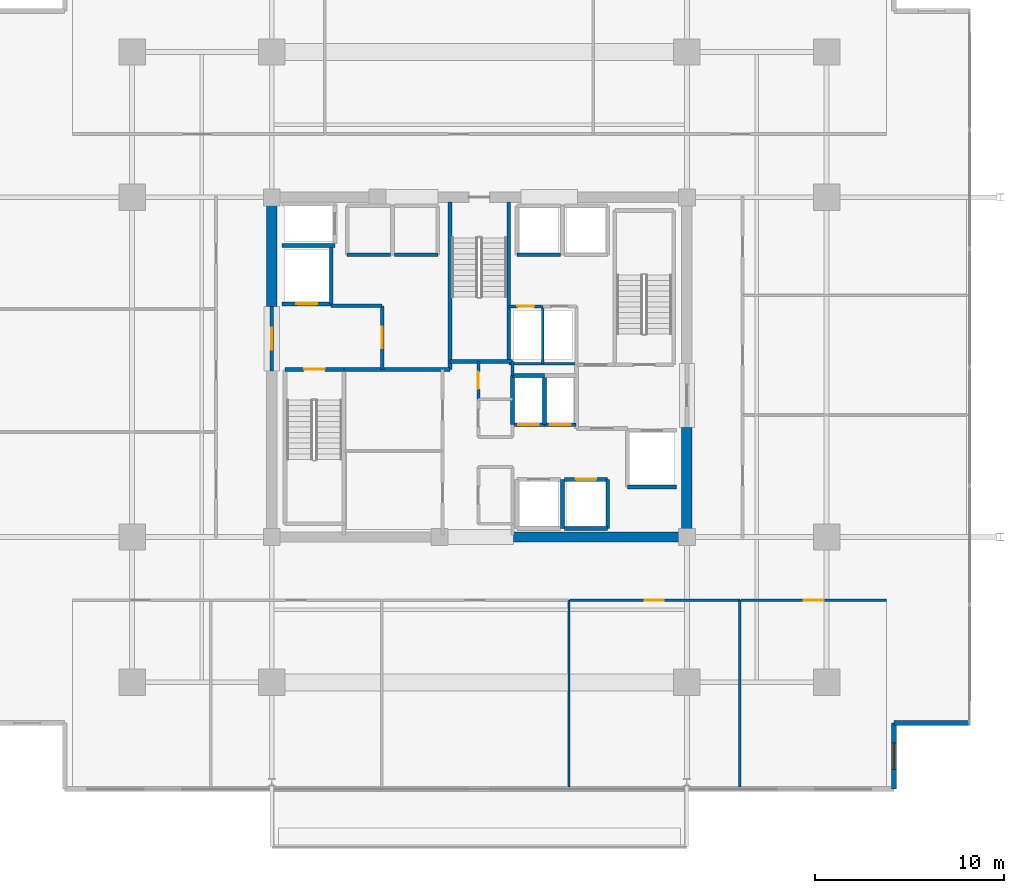
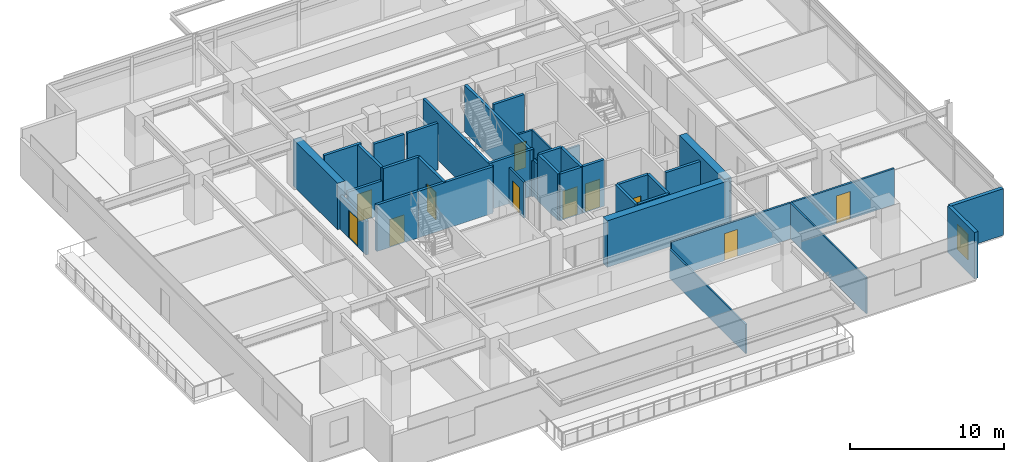
# One storey, part 15 of 22: 38 walls, 11 doors, 1 window, 12 openings.
"""IFC4 building model written with IfcOpenShell, lengths in metres."""

from ifc_helpers import new_model, si_unit, direction, frame, frame_2d, origin, place, context, subcontext, project, spatial, rectangle, extrude, material, layer, layer_set, type_object, element, fill, save


model = new_model("IFC4")

# Units and contexts
model_context = context("Model", 3, precision=1e-05, world=origin(), true_north=direction((0.0, 1.0)))
body_context = subcontext(model_context, "Body", "Model", "MODEL_VIEW")
ifc_project = project(units=[si_unit("LENGTHUNIT", "METRE"), si_unit("AREAUNIT", "SQUARE_METRE"), si_unit("VOLUMEUNIT", "CUBIC_METRE"), si_unit("PLANEANGLEUNIT", "RADIAN"), si_unit("MASSUNIT", "GRAM", prefix="KILO")], contexts=[model_context])

# Site, building, storey
site_placement = place(None, origin())
site = spatial("IfcSite", under=ifc_project, at=site_placement, CompositionType="ELEMENT")
building_placement = place(site_placement, origin())
building = spatial("IfcBuilding", under=site, at=building_placement, Name="Kovane Verandah Tower", CompositionType="ELEMENT")
storey_placement = place(building_placement, frame((0.0, 0.0, 229.199951171875)))
storey = spatial("IfcBuildingStorey", under=building, at=storey_placement, Name="L53", CompositionType="ELEMENT", Elevation=229.199951171875)

# Wall
ifc_material_1 = material(Name="Fire-Rated Gypsum Stud Partition", Category="gypsum")
ifc_layer_1 = layer(ifc_material_1, 0.14990234375)
ifc_layer_set_1 = layer_set([ifc_layer_1], Name="Fire-Rated Gypsum Stud Partition")
wall_type_1 = type_object("IfcWallType", Name="WL-COR-150", PredefinedType="PARTITIONING", material=ifc_layer_set_1)
wall_1_placement = place(storey_placement, frame((41.760009765625, 27.050048828125, 0.0), z_axis=(0.0, 0.0, 1.0), x_axis=(0.0, 1.0, 0.0)))
element("IfcWall", 1, at=wall_1_placement, inside=storey, type_object=wall_type_1, Name="L53 Central Core Strip Upper East Wall", PredefinedType="PARTITIONING", context=body_context, shape_type="SweptSolid", body=[
    extrude(rectangle(XDim=0.75, YDim=0.14990234375, at=frame_2d((0.375, 0.0))), origin(), (0.0, 0.0, 1.0), 2.85009765625),
])

# Wall, opening, door
wall_2_placement = place(storey_placement, frame((39.949951171875, 25.800048828125, 0.0), z_axis=(0.0, 0.0, 1.0), x_axis=(0.0, 1.0, 0.0)))
wall_2 = element("IfcWall", 2, at=wall_2_placement, inside=storey, type_object=wall_type_1, Name="L53 Accessible Unisex Toilet Partition", PredefinedType="PARTITIONING", context=body_context, shape_type="SweptSolid", body=[
    extrude(rectangle(XDim=2.0, YDim=0.14990234375, at=frame_2d((1.0, 0.0))), origin(), (0.0, 0.0, 1.0), 2.85009765625),
])
opening_1_placement = place(wall_2_placement, frame((0.550048828125, 0.0, 0.0)))
opening_1 = element("IfcOpeningElement", 3, at=opening_1_placement, cuts=wall_2, Name="Opening DR-L53-026", PredefinedType="OPENING", context=body_context, shape_type="SweptSolid", body=[
    extrude(rectangle(XDim=0.89990234375, YDim=2.10009765625, at=frame_2d((0.449951171875, 1.050048828125))), frame((0.0, 0.074951171875, 0.0), z_axis=(0.0, -1.0, 0.0), x_axis=(1.0, 0.0, 0.0)), (0.0, 0.0, 1.0), 0.14990234375),
])
ifc_material_2 = material(Name="Moisture-Resistant Laminate Washroom Door", Category="wood")
door_type_1 = type_object("IfcDoorType", Name="DR-WC-900", OperationType="SINGLE_SWING_LEFT", PredefinedType="DOOR", material=ifc_material_2)
door_1_placement = place(opening_1_placement, origin())
door_1 = element("IfcDoor", 4, at=door_1_placement, inside=storey, type_object=door_type_1, Name="L53 Accessible Unisex Toilet Door", OperationType="SINGLE_SWING_RIGHT", OverallHeight=2.10009765625, OverallWidth=0.89990234375, PredefinedType="DOOR", context=body_context, shape_type="SweptSolid", body=[
    extrude(rectangle(XDim=0.89990234375, YDim=2.10009765625, at=frame_2d((0.449951171875, 1.050048828125))), frame((0.0, 0.02490234375, 0.0), z_axis=(0.0, -1.0, 0.0), x_axis=(1.0, 0.0, 0.0)), (0.0, 0.0, 1.0), 0.050048828125),
])
fill(opening_1, door_1)

# Wall
wall_3_placement = place(storey_placement, frame((41.56005859375, 27.679931640625, 0.0), z_axis=(0.0, 0.0, 1.0), x_axis=(1.0, 0.0, 0.0)))
element("IfcWall", 5, at=wall_3_placement, inside=storey, type_object=wall_type_1, Name="L53 East Core Service Riser South Wall", PredefinedType="PARTITIONING", context=body_context, shape_type="SweptSolid", body=[
    extrude(rectangle(XDim=3.58984375, YDim=0.14990234375, at=frame_2d((1.794921875, 0.0))), origin(), (0.0, 0.0, 1.0), 2.85009765625),
])

# Wall, opening, door
wall_4_placement = place(storey_placement, frame((41.56005859375, 30.719970703125, 0.0), z_axis=(0.0, 0.0, 1.0), x_axis=(1.0, 0.0, 0.0)))
wall_4 = element("IfcWall", 6, at=wall_4_placement, inside=storey, type_object=wall_type_1, Name="L53 Chilled Water Riser Room Partition", PredefinedType="PARTITIONING", context=body_context, shape_type="SweptSolid", body=[
    extrude(rectangle(XDim=1.800048828125, YDim=0.14990234375, at=frame_2d((0.89990234375, 0.0))), origin(), (0.0, 0.0, 1.0), 2.85009765625),
])
opening_2_placement = place(wall_4_placement, frame((0.4599609375, 0.0, 0.0)))
opening_2 = element("IfcOpeningElement", 7, at=opening_2_placement, cuts=wall_4, Name="Opening DR-L53-016", PredefinedType="OPENING", context=body_context, shape_type="SweptSolid", body=[
    extrude(rectangle(XDim=0.8798828125, YDim=2.10009765625, at=frame_2d((0.43994140625, 1.050048828125))), frame((0.0, 0.074951171875, 0.0), z_axis=(0.0, -1.0, 0.0), x_axis=(1.0, 0.0, 0.0)), (0.0, 0.0, 1.0), 0.14990234375),
])
ifc_material_3 = material(Name="Fire-Rated Steel Riser Access Door", Category="steel")
door_type_2 = type_object("IfcDoorType", Name="DR-RISER-880", OperationType="SINGLE_SWING_LEFT", PredefinedType="DOOR", material=ifc_material_3)
door_2_placement = place(opening_2_placement, origin())
door_2 = element("IfcDoor", 8, at=door_2_placement, inside=storey, type_object=door_type_2, Name="L53 Chilled Water Riser Room Door", OperationType="SINGLE_SWING_LEFT", OverallHeight=2.10009765625, OverallWidth=0.8798828125, PredefinedType="DOOR", context=body_context, shape_type="SweptSolid", body=[
    extrude(rectangle(XDim=0.8798828125, YDim=2.10009765625, at=frame_2d((0.43994140625, 1.050048828125))), frame((0.0, 0.02490234375, 0.0), z_axis=(0.0, -1.0, 0.0), x_axis=(1.0, 0.0, 0.0)), (0.0, 0.0, 1.0), 0.050048828125),
])
fill(opening_2, door_2)

wall_5_placement = place(storey_placement, frame((44.815185546875, 15.14990234375, 0.0), z_axis=(0.0, 0.0, 1.0), x_axis=(1.0, 0.0, 0.0)))
wall_5 = element("IfcWall", 9, at=wall_5_placement, inside=storey, type_object=wall_type_1, Name="L53 Open Plan Office S4 Corridor Partition", PredefinedType="PARTITIONING", context=body_context, shape_type="SweptSolid", body=[
    extrude(rectangle(XDim=8.9892578125, YDim=0.14990234375, at=frame_2d((4.49462890625, 0.0))), origin(), (0.0, 0.0, 1.0), 2.85009765625),
])
opening_3_placement = place(wall_5_placement, frame((3.959716796875, 0.0, 0.0)))
opening_3 = element("IfcOpeningElement", 10, at=opening_3_placement, cuts=wall_5, Name="Opening DR-L53-024", PredefinedType="OPENING", context=body_context, shape_type="SweptSolid", body=[
    extrude(rectangle(XDim=1.0, YDim=2.14990234375, at=frame_2d((0.5, 1.074951171875))), frame((0.0, 0.074951171875, 0.0), z_axis=(0.0, -1.0, 0.0), x_axis=(1.0, 0.0, 0.0)), (0.0, 0.0, 1.0), 0.14990234375),
])
ifc_material_4 = material(Name="FSC Spotted-Gum Timber Fire-Rated Office Door", Category="wood")
door_type_3 = type_object("IfcDoorType", Name="DR-OFF-1000", OperationType="SINGLE_SWING_LEFT", PredefinedType="DOOR", material=ifc_material_4)
door_3_placement = place(opening_3_placement, origin())
door_3 = element("IfcDoor", 11, at=door_3_placement, inside=storey, type_object=door_type_3, Name="L53 Open Plan Office S4 Entrance Door", OperationType="SINGLE_SWING_LEFT", OverallHeight=2.14990234375, OverallWidth=1.0, PredefinedType="DOOR", context=body_context, shape_type="SweptSolid", body=[
    extrude(rectangle(XDim=1.0, YDim=2.14990234375, at=frame_2d((0.5, 1.074951171875))), frame((0.0, 0.02490234375, 0.0), z_axis=(0.0, -1.0, 0.0), x_axis=(1.0, 0.0, 0.0)), (0.0, 0.0, 1.0), 0.050048828125),
])
fill(opening_3, door_3)

wall_6_placement = place(storey_placement, frame((53.87451171875, 15.14990234375, 0.0), z_axis=(0.0, 0.0, 1.0), x_axis=(1.0, 0.0, 0.0)))
wall_6 = element("IfcWall", 12, at=wall_6_placement, inside=storey, type_object=wall_type_1, Name="L53 Executive Office S5 Corridor Partition", PredefinedType="PARTITIONING", context=body_context, shape_type="SweptSolid", body=[
    extrude(rectangle(XDim=7.69482421875, YDim=0.14990234375, at=frame_2d((3.847412109375, 0.0))), origin(), (0.0, 0.0, 1.0), 2.85009765625),
])
opening_4_placement = place(wall_6_placement, frame((3.322509765625, 0.0, 0.0)))
opening_4 = element("IfcOpeningElement", 13, at=opening_4_placement, cuts=wall_6, Name="Opening DR-L53-025", PredefinedType="OPENING", context=body_context, shape_type="SweptSolid", body=[
    extrude(rectangle(XDim=1.050048828125, YDim=2.199951171875, at=frame_2d((0.52490234375, 1.10009765625))), frame((0.0, 0.074951171875, 0.0), z_axis=(0.0, -1.0, 0.0), x_axis=(1.0, 0.0, 0.0)), (0.0, 0.0, 1.0), 0.14990234375),
])
ifc_material_5 = material(Name="FSC Blackbutt Timber Fire-Rated Executive Door", Category="wood")
door_type_4 = type_object("IfcDoorType", Name="DR-EXEC-1050", OperationType="SINGLE_SWING_LEFT", PredefinedType="DOOR", material=ifc_material_5)
door_4_placement = place(opening_4_placement, origin())
door_4 = element("IfcDoor", 14, at=door_4_placement, inside=storey, type_object=door_type_4, Name="L53 Executive Office S5 Entrance Door", OperationType="SINGLE_SWING_RIGHT", OverallHeight=2.199951171875, OverallWidth=1.050048828125, PredefinedType="DOOR", context=body_context, shape_type="SweptSolid", body=[
    extrude(rectangle(XDim=1.050048828125, YDim=2.199951171875, at=frame_2d((0.52490234375, 1.10009765625))), frame((0.0, 0.02490234375, 0.0), z_axis=(0.0, -1.0, 0.0), x_axis=(1.0, 0.0, 0.0)), (0.0, 0.0, 1.0), 0.050048828125),
])
fill(opening_4, door_4)

# Walls
ifc_material_6 = material(Name="Concrete C60/75", Category="concrete")
ifc_layer_2 = layer(ifc_material_6, 0.550048828125)
ifc_layer_set_2 = layer_set([ifc_layer_2], Name="Concrete C60/75")
wall_type_2 = type_object("IfcWallType", Name="WL-CORE-550", PredefinedType="SHEAR", material=ifc_layer_set_2)
wall_7_placement = place(storey_placement, frame((41.800048828125, 18.5, 0.0), z_axis=(0.0, 0.0, 1.0), x_axis=(1.0, 0.0, 0.0)))
element("IfcWall", 15, at=wall_7_placement, inside=storey, type_object=wall_type_2, Name="L53 Core Shear Wall CS-2", PredefinedType="SHEAR", context=body_context, shape_type="SweptSolid", body=[
    extrude(rectangle(XDim=9.199951171875, YDim=0.550048828125, at=frame_2d((4.60009765625, 0.0))), origin(), (0.0, 0.0, 1.0), 3.699951171875),
])
for number, where, z_axis, x_axis, name in (
    (16, (29.0, 30.699951171875, 0.0), (0.0, 0.0, 1.0), (0.0, 1.0, 0.0), "L53 Core Shear Wall CW-2"),
    (17, (51.0, 18.5, 0.0), (0.0, 0.0, 1.0), (0.0, 1.0, 0.0), "L53 Core Shear Wall CE-1"),
):
    element("IfcWall", number, at=place(storey_placement, frame(where, z_axis=z_axis, x_axis=x_axis)), inside=storey, type_object=wall_type_2, Name=name, PredefinedType="SHEAR", context=body_context, shape_type="SweptSolid", body=[
        extrude(rectangle(XDim=5.800048828125, YDim=0.550048828125, at=frame_2d((2.89990234375, 0.0))), origin(), (0.0, 0.0, 1.0), 3.699951171875),
    ])

# Wall, opening, door
ifc_material_7 = material(Name="Concrete C45/55 Fire Wall", Category="concrete")
ifc_layer_3 = layer(ifc_material_7, 0.199951171875)
ifc_layer_set_3 = layer_set([ifc_layer_3], Name="Concrete C45/55 Fire Wall")
wall_type_3 = type_object("IfcWallType", Name="WL-FFL-200", PredefinedType="PARTITIONING", material=ifc_layer_set_3)
wall_8_placement = place(storey_placement, frame((34.85009765625, 27.3798828125, 0.0), z_axis=(0.0, 0.0, 1.0), x_axis=(0.0, 1.0, 0.0)))
wall_8 = element("IfcWall", 18, at=wall_8_placement, inside=storey, type_object=wall_type_3, Name="W-L53-FFLW-E", PredefinedType="PARTITIONING", context=body_context, shape_type="SweptSolid", body=[
    extrude(rectangle(XDim=3.3701171875, YDim=0.199951171875, at=frame_2d((1.68505859375, 0.0))), origin(), (0.0, 0.0, 1.0), 3.699951171875),
])
opening_5_placement = place(wall_8_placement, frame((1.110107421875, 0.0, 0.0)))
opening_5 = element("IfcOpeningElement", 19, at=opening_5_placement, cuts=wall_8, Name="Opening DR-L53-006", PredefinedType="OPENING", context=body_context, shape_type="SweptSolid", body=[
    extrude(rectangle(XDim=1.14990234375, YDim=2.199951171875, at=frame_2d((0.574951171875, 1.10009765625))), frame((0.0, 0.10009765625, 0.0), z_axis=(0.0, -1.0, 0.0), x_axis=(1.0, 0.0, 0.0)), (0.0, 0.0, 1.0), 0.199951171875),
])
ifc_material_8 = material(Name="Smoke-Sealed Firefighting Lobby Door", Category="steel")
door_type_5 = type_object("IfcDoorType", Name="DR-FFL-1150", OperationType="SINGLE_SWING_LEFT", PredefinedType="DOOR", material=ifc_material_8)
door_5_placement = place(opening_5_placement, origin())
door_5 = element("IfcDoor", 20, at=door_5_placement, inside=storey, type_object=door_type_5, Name="L53 West Firefighting Lobby Inner Door", OperationType="SINGLE_SWING_LEFT", OverallHeight=2.199951171875, OverallWidth=1.14990234375, PredefinedType="DOOR", context=body_context, shape_type="SweptSolid", body=[
    extrude(rectangle(XDim=1.14990234375, YDim=2.199951171875, at=frame_2d((0.574951171875, 1.10009765625))), frame((0.0, 0.02490234375, 0.0), z_axis=(0.0, -1.0, 0.0), x_axis=(1.0, 0.0, 0.0)), (0.0, 0.0, 1.0), 0.050048828125),
])
fill(opening_5, door_5)

wall_9_placement = place(storey_placement, frame((29.0, 27.300048828125, 0.0), z_axis=(0.0, 0.0, 1.0), x_axis=(0.0, 1.0, 0.0)))
wall_9 = element("IfcWall", 21, at=wall_9_placement, inside=storey, type_object=wall_type_3, Name="W-L53-FFLW-OUT", PredefinedType="PARTITIONING", context=body_context, shape_type="SweptSolid", body=[
    extrude(rectangle(XDim=3.39990234375, YDim=0.199951171875, at=frame_2d((1.699951171875, 0.0))), origin(), (0.0, 0.0, 1.0), 2.679931640625),
])
opening_6_placement = place(wall_9_placement, frame((1.125, 0.0, 0.0)))
opening_6 = element("IfcOpeningElement", 22, at=opening_6_placement, cuts=wall_9, Name="Opening DR-L53-007", PredefinedType="OPENING", context=body_context, shape_type="SweptSolid", body=[
    extrude(rectangle(XDim=1.14990234375, YDim=2.199951171875, at=frame_2d((0.574951171875, 1.10009765625))), frame((0.0, 0.10009765625, 0.0), z_axis=(0.0, -1.0, 0.0), x_axis=(1.0, 0.0, 0.0)), (0.0, 0.0, 1.0), 0.199951171875),
])
door_6_placement = place(opening_6_placement, origin())
door_6 = element("IfcDoor", 23, at=door_6_placement, inside=storey, type_object=door_type_5, Name="L53 West Firefighting Lobby Corridor Door", OperationType="SINGLE_SWING_RIGHT", OverallHeight=2.199951171875, OverallWidth=1.14990234375, PredefinedType="DOOR", context=body_context, shape_type="SweptSolid", body=[
    extrude(rectangle(XDim=1.14990234375, YDim=2.199951171875, at=frame_2d((0.574951171875, 1.10009765625))), frame((0.0, 0.02490234375, 0.0), z_axis=(0.0, -1.0, 0.0), x_axis=(1.0, 0.0, 0.0)), (0.0, 0.0, 1.0), 0.050048828125),
])
fill(opening_6, door_6)

# Walls
wall_10_placement = place(storey_placement, frame((32.820068359375, 27.3798828125, 0.0), z_axis=(0.0, 0.0, 1.0), x_axis=(1.0, 0.0, 0.0)))
element("IfcWall", 24, at=wall_10_placement, inside=storey, type_object=wall_type_3, Name="L53 West Firefighting Lobby South Fire Wall", PredefinedType="PARTITIONING", context=body_context, shape_type="SweptSolid", body=[
    extrude(rectangle(XDim=5.619873046875, YDim=0.199951171875, at=frame_2d((2.81005859375, 0.0))), origin(), (0.0, 0.0, 1.0), 3.699951171875),
])
wall_11_placement = place(storey_placement, frame((32.14990234375, 30.75, 0.0), z_axis=(0.0, 0.0, 1.0), x_axis=(1.0, 0.0, 0.0)))
element("IfcWall", 25, at=wall_11_placement, inside=storey, type_object=wall_type_3, Name="L53 West Firefighting Lobby North Fire Wall", PredefinedType="PARTITIONING", context=body_context, shape_type="SweptSolid", body=[
    extrude(rectangle(XDim=2.7001953125, YDim=0.199951171875, at=frame_2d((1.35009765625, 0.0))), origin(), (0.0, 0.0, 1.0), 3.699951171875),
])

# Wall, opening, door
ifc_material_9 = material(Name="Concrete C45/55 Lift Shaft Wall", Category="concrete")
ifc_layer_4 = layer(ifc_material_9, 0.199951171875)
ifc_layer_set_4 = layer_set([ifc_layer_4], Name="Concrete C45/55 Lift Shaft Wall")
wall_type_4 = type_object("IfcWallType", Name="WL-LIFT-200", PredefinedType="SOLIDWALL", material=ifc_layer_set_4)
wall_12_placement = place(storey_placement, frame((29.550048828125, 30.85009765625, 0.0), z_axis=(0.0, 0.0, 1.0), x_axis=(1.0, 0.0, 0.0)))
wall_12 = element("IfcWall", 26, at=wall_12_placement, inside=storey, type_object=wall_type_4, Name="L53 Lift FL-01 S Shaft Wall", PredefinedType="SOLIDWALL", context=body_context, shape_type="SweptSolid", body=[
    extrude(rectangle(XDim=2.599853515625, YDim=0.199951171875, at=frame_2d((1.2998046875, 0.0))), origin(), (0.0, 0.0, 1.0), 2.679931640625),
])
opening_7_placement = place(wall_12_placement, frame((0.75, 0.0, 0.0)))
opening_7 = element("IfcOpeningElement", 27, at=opening_7_placement, cuts=wall_12, Name="Opening LD-L53-001", PredefinedType="OPENING", context=body_context, shape_type="SweptSolid", body=[
    extrude(rectangle(XDim=1.10009765625, YDim=2.199951171875, at=frame_2d((0.550048828125, 1.10009765625))), frame((0.0, 0.10009765625, 0.0), z_axis=(0.0, -1.0, 0.0), x_axis=(1.0, 0.0, 0.0)), (0.0, 0.0, 1.0), 0.199951171875),
])
ifc_material_10 = material(Name="Brushed Stainless Steel Sliding Lift Landing Door", Category="steel")
door_type_6 = type_object("IfcDoorType", Name="DR-LIFT-1100", OperationType="SLIDING_TO_RIGHT", PredefinedType="DOOR", material=ifc_material_10)
door_7_placement = place(opening_7_placement, origin())
door_7 = element("IfcDoor", 28, at=door_7_placement, inside=storey, type_object=door_type_6, Name="L53 Lift FL-01 Sliding Landing Door", OperationType="SLIDING_TO_RIGHT", OverallHeight=2.199951171875, OverallWidth=1.10009765625, PredefinedType="DOOR", context=body_context, shape_type="SweptSolid", body=[
    extrude(rectangle(XDim=1.10009765625, YDim=2.199951171875, at=frame_2d((0.550048828125, 1.10009765625))), frame((0.0, 0.02490234375, 0.0), z_axis=(0.0, -1.0, 0.0), x_axis=(1.0, 0.0, 0.0)), (0.0, 0.0, 1.0), 0.050048828125),
])
fill(opening_7, door_7)

# Walls
wall_13_placement = place(storey_placement, frame((29.550048828125, 33.949951171875, 0.0), z_axis=(0.0, 0.0, 1.0), x_axis=(1.0, 0.0, 0.0)))
element("IfcWall", 29, at=wall_13_placement, inside=storey, type_object=wall_type_4, Name="L53 Lift FL-01 and GL-01 Shared Shaft Wall", PredefinedType="SOLIDWALL", context=body_context, shape_type="SweptSolid", body=[
    extrude(rectangle(XDim=2.800048828125, YDim=0.199951171875, at=frame_2d((1.39990234375, 0.0))), origin(), (0.0, 0.0, 1.0), 3.699951171875),
])
wall_14_placement = place(storey_placement, frame((32.14990234375, 30.85009765625, 0.0), z_axis=(0.0, 0.0, 1.0), x_axis=(0.0, 1.0, 0.0)))
element("IfcWall", 30, at=wall_14_placement, inside=storey, type_object=wall_type_4, Name="L53 Lift FL-01 E Shaft Wall", PredefinedType="SOLIDWALL", context=body_context, shape_type="SweptSolid", body=[
    extrude(rectangle(XDim=3.0, YDim=0.199951171875, at=frame_2d((1.5, 0.0))), origin(), (0.0, 0.0, 1.0), 3.699951171875),
])
wall_15_placement = place(storey_placement, frame((47.85009765625, 21.14990234375, 0.0), z_axis=(0.0, 0.0, 1.0), x_axis=(1.0, 0.0, 0.0)))
element("IfcWall", 31, at=wall_15_placement, inside=storey, type_object=wall_type_4, Name="L53 Lift FL-02 S Shaft Wall", PredefinedType="SOLIDWALL", context=body_context, shape_type="SweptSolid", body=[
    extrude(rectangle(XDim=2.599853515625, YDim=0.199951171875, at=frame_2d((1.2998046875, 0.0))), origin(), (0.0, 0.0, 1.0), 3.699951171875),
])
wall_16_placement = place(storey_placement, frame((44.39990234375, 18.949951171875, 0.0), z_axis=(0.0, 0.0, 1.0), x_axis=(0.0, 1.0, 0.0)))
element("IfcWall", 32, at=wall_16_placement, inside=storey, type_object=wall_type_4, Name="L53 Lift PL-M1 and PL-M2 Shared Shaft Wall", PredefinedType="SOLIDWALL", context=body_context, shape_type="SweptSolid", body=[
    extrude(rectangle(XDim=2.60009765625, YDim=0.199951171875, at=frame_2d((1.300048828125, 0.0))), origin(), (0.0, 0.0, 1.0), 3.699951171875),
])
wall_17_placement = place(storey_placement, frame((44.5, 18.949951171875, 0.0), z_axis=(0.0, 0.0, 1.0), x_axis=(1.0, 0.0, 0.0)))
element("IfcWall", 33, at=wall_17_placement, inside=storey, type_object=wall_type_4, Name="L53 Lift PL-M2 S Shaft Wall", PredefinedType="SOLIDWALL", context=body_context, shape_type="SweptSolid", body=[
    extrude(rectangle(XDim=2.300048828125, YDim=0.199951171875, at=frame_2d((1.14990234375, 0.0))), origin(), (0.0, 0.0, 1.0), 3.699951171875),
])

# Wall, opening, door
wall_18_placement = place(storey_placement, frame((46.800048828125, 21.550048828125, 0.0), z_axis=(0.0, 0.0, 1.0), x_axis=(-1.0, 0.0, 0.0)))
wall_18 = element("IfcWall", 34, at=wall_18_placement, inside=storey, type_object=wall_type_4, Name="L53 Lift PL-M2 N Shaft Wall", PredefinedType="SOLIDWALL", context=body_context, shape_type="SweptSolid", body=[
    extrude(rectangle(XDim=2.300048828125, YDim=0.199951171875, at=frame_2d((1.14990234375, 0.0))), origin(), (0.0, 0.0, 1.0), 3.699951171875),
])
opening_8_placement = place(wall_18_placement, frame((0.60009765625, 0.0, 0.0)))
opening_8 = element("IfcOpeningElement", 35, at=opening_8_placement, cuts=wall_18, Name="Opening LD-L53-005", PredefinedType="OPENING", context=body_context, shape_type="SweptSolid", body=[
    extrude(rectangle(XDim=1.10009765625, YDim=2.199951171875, at=frame_2d((0.550048828125, 1.10009765625))), frame((0.0, 0.10009765625, 0.0), z_axis=(0.0, -1.0, 0.0), x_axis=(1.0, 0.0, 0.0)), (0.0, 0.0, 1.0), 0.199951171875),
])
door_8_placement = place(opening_8_placement, origin())
door_8 = element("IfcDoor", 36, at=door_8_placement, inside=storey, type_object=door_type_6, Name="L53 Lift PL-M2 Sliding Landing Door", OperationType="SLIDING_TO_RIGHT", OverallHeight=2.199951171875, OverallWidth=1.10009765625, PredefinedType="DOOR", context=body_context, shape_type="SweptSolid", body=[
    extrude(rectangle(XDim=1.10009765625, YDim=2.199951171875, at=frame_2d((0.550048828125, 1.10009765625))), frame((0.0, 0.02490234375, 0.0), z_axis=(0.0, -1.0, 0.0), x_axis=(1.0, 0.0, 0.0)), (0.0, 0.0, 1.0), 0.050048828125),
])
fill(opening_8, door_8)

# Wall
wall_19_placement = place(storey_placement, frame((46.800048828125, 18.949951171875, 0.0), z_axis=(0.0, 0.0, 1.0), x_axis=(0.0, 1.0, 0.0)))
element("IfcWall", 37, at=wall_19_placement, inside=storey, type_object=wall_type_4, Name="L53 Lift PL-M2 E Shaft Wall", PredefinedType="SOLIDWALL", context=body_context, shape_type="SweptSolid", body=[
    extrude(rectangle(XDim=2.60009765625, YDim=0.199951171875, at=frame_2d((1.300048828125, 0.0))), origin(), (0.0, 0.0, 1.0), 3.699951171875),
])

# Wall, opening, door
wall_20_placement = place(storey_placement, frame((41.760009765625, 24.449951171875, 0.0), z_axis=(0.0, 0.0, 1.0), x_axis=(1.0, 0.0, 0.0)))
wall_20 = element("IfcWall", 38, at=wall_20_placement, inside=storey, type_object=wall_type_4, Name="L53 Lift PL-M3 S Shaft Wall", PredefinedType="SOLIDWALL", context=body_context, shape_type="SweptSolid", body=[
    extrude(rectangle(XDim=1.679931640625, YDim=0.199951171875, at=frame_2d((0.83984375, 0.0))), origin(), (0.0, 0.0, 1.0), 3.699951171875),
])
opening_9_placement = place(wall_20_placement, frame((0.2900390625, 0.0, 0.0)))
opening_9 = element("IfcOpeningElement", 39, at=opening_9_placement, cuts=wall_20, Name="Opening LD-L53-006", PredefinedType="OPENING", context=body_context, shape_type="SweptSolid", body=[
    extrude(rectangle(XDim=1.10009765625, YDim=2.199951171875, at=frame_2d((0.550048828125, 1.10009765625))), frame((0.0, 0.10009765625, 0.0), z_axis=(0.0, -1.0, 0.0), x_axis=(1.0, 0.0, 0.0)), (0.0, 0.0, 1.0), 0.199951171875),
])
door_9_placement = place(opening_9_placement, origin())
door_9 = element("IfcDoor", 40, at=door_9_placement, inside=storey, type_object=door_type_6, Name="L53 Lift PL-M3 Sliding Landing Door", OperationType="SLIDING_TO_RIGHT", OverallHeight=2.199951171875, OverallWidth=1.10009765625, PredefinedType="DOOR", context=body_context, shape_type="SweptSolid", body=[
    extrude(rectangle(XDim=1.10009765625, YDim=2.199951171875, at=frame_2d((0.550048828125, 1.10009765625))), frame((0.0, 0.02490234375, 0.0), z_axis=(0.0, -1.0, 0.0), x_axis=(1.0, 0.0, 0.0)), (0.0, 0.0, 1.0), 0.050048828125),
])
fill(opening_9, door_9)

# Walls
wall_21_placement = place(storey_placement, frame((43.43994140625, 27.050048828125, 0.0), z_axis=(0.0, 0.0, 1.0), x_axis=(-1.0, 0.0, 0.0)))
element("IfcWall", 41, at=wall_21_placement, inside=storey, type_object=wall_type_4, Name="L53 Lift PL-M3 N Shaft Wall", PredefinedType="SOLIDWALL", context=body_context, shape_type="SweptSolid", body=[
    extrude(rectangle(XDim=1.679931640625, YDim=0.199951171875, at=frame_2d((0.83984375, 0.0))), origin(), (0.0, 0.0, 1.0), 3.699951171875),
])
for number, where, z_axis, x_axis, name in (
    (42, (41.760009765625, 27.050048828125, 0.0), (0.0, 0.0, 1.0), (0.0, -1.0, 0.0), "L53 Lift PL-M3 W Shaft Wall"),
    (43, (43.449951171875, 24.449951171875, 0.0), (0.0, 0.0, 1.0), (0.0, 1.0, 0.0), "L53 Lift PL-M3 and PL-M4 Shared Shaft Wall"),
):
    element("IfcWall", number, at=place(storey_placement, frame(where, z_axis=z_axis, x_axis=x_axis)), inside=storey, type_object=wall_type_4, Name=name, PredefinedType="SOLIDWALL", context=body_context, shape_type="SweptSolid", body=[
        extrude(rectangle(XDim=2.60009765625, YDim=0.199951171875, at=frame_2d((1.300048828125, 0.0))), origin(), (0.0, 0.0, 1.0), 3.699951171875),
    ])

# Wall, opening, door
wall_22_placement = place(storey_placement, frame((43.4599609375, 24.449951171875, 0.0), z_axis=(0.0, 0.0, 1.0), x_axis=(1.0, 0.0, 0.0)))
wall_22 = element("IfcWall", 44, at=wall_22_placement, inside=storey, type_object=wall_type_4, Name="L53 Lift PL-M4 S Shaft Wall", PredefinedType="SOLIDWALL", context=body_context, shape_type="SweptSolid", body=[
    extrude(rectangle(XDim=1.66015625, YDim=0.199951171875, at=frame_2d((0.830078125, 0.0))), origin(), (0.0, 0.0, 1.0), 3.699951171875),
])
opening_10_placement = place(wall_22_placement, frame((0.280029296875, 0.0, 0.0)))
opening_10 = element("IfcOpeningElement", 45, at=opening_10_placement, cuts=wall_22, Name="Opening LD-L53-007", PredefinedType="OPENING", context=body_context, shape_type="SweptSolid", body=[
    extrude(rectangle(XDim=1.10009765625, YDim=2.199951171875, at=frame_2d((0.550048828125, 1.10009765625))), frame((0.0, 0.10009765625, 0.0), z_axis=(0.0, -1.0, 0.0), x_axis=(1.0, 0.0, 0.0)), (0.0, 0.0, 1.0), 0.199951171875),
])
door_10_placement = place(opening_10_placement, origin())
door_10 = element("IfcDoor", 46, at=door_10_placement, inside=storey, type_object=door_type_6, Name="L53 Lift PL-M4 Sliding Landing Door", OperationType="SLIDING_TO_RIGHT", OverallHeight=2.199951171875, OverallWidth=1.10009765625, PredefinedType="DOOR", context=body_context, shape_type="SweptSolid", body=[
    extrude(rectangle(XDim=1.10009765625, YDim=2.199951171875, at=frame_2d((0.550048828125, 1.10009765625))), frame((0.0, 0.02490234375, 0.0), z_axis=(0.0, -1.0, 0.0), x_axis=(1.0, 0.0, 0.0)), (0.0, 0.0, 1.0), 0.050048828125),
])
fill(opening_10, door_10)

# Walls
for number, where, z_axis, x_axis, name in (
    (47, (33.0, 33.449951171875, 0.0), (0.0, 0.0, 1.0), (1.0, 0.0, 0.0), "L53 Lift PL-H1 S Shaft Wall"),
    (48, (35.5, 33.449951171875, 0.0), (0.0, 0.0, 1.0), (1.0, 0.0, 0.0), "L53 Lift PL-H2 S Shaft Wall"),
    (49, (42.0, 33.449951171875, 0.0), (0.0, 0.0, 1.0), (1.0, 0.0, 0.0), "L53 Lift SL-01 S Shaft Wall"),
):
    element("IfcWall", number, at=place(storey_placement, frame(where, z_axis=z_axis, x_axis=x_axis)), inside=storey, type_object=wall_type_4, Name=name, PredefinedType="SOLIDWALL", context=body_context, shape_type="SweptSolid", body=[
        extrude(rectangle(XDim=2.300048828125, YDim=0.199951171875, at=frame_2d((1.14990234375, 0.0))), origin(), (0.0, 0.0, 1.0), 3.699951171875),
    ])
ifc_material_11 = material(Name="Acoustic Fire-Rated Gypsum Partition", Category="gypsum")
ifc_layer_5 = layer(ifc_material_11, 0.1201171875)
ifc_layer_set_5 = layer_set([ifc_layer_5], Name="Acoustic Fire-Rated Gypsum Partition")
wall_type_5 = type_object("IfcWallType", Name="WL-PART-120", PredefinedType="PARTITIONING", material=ifc_layer_set_5)
wall_23_placement = place(storey_placement, frame((43.360107421875, 27.679931640625, 0.0), z_axis=(0.0, 0.0, 1.0), x_axis=(0.0, 1.0, 0.0)))
element("IfcWall", 50, at=wall_23_placement, inside=storey, type_object=wall_type_5, Name="L53 Service Riser Dividing Partition", PredefinedType="PARTITIONING", context=body_context, shape_type="SweptSolid", body=[
    extrude(rectangle(XDim=3.0400390625, YDim=0.1201171875, at=frame_2d((1.52001953125, 0.0))), origin(), (0.0, 0.0, 1.0), 2.85009765625),
])
wall_24_placement = place(storey_placement, frame((44.7451171875, 5.239990234375, 0.0), z_axis=(0.0, 0.0, 1.0), x_axis=(0.0, 1.0, 0.0)))
element("IfcWall", 51, at=wall_24_placement, inside=storey, type_object=wall_type_5, Name="L53 Document and Print Room S3 Dividing Partition", PredefinedType="PARTITIONING", context=body_context, shape_type="SweptSolid", body=[
    extrude(rectangle(XDim=9.909912109375, YDim=0.1201171875, at=frame_2d((4.955078125, 0.0))), origin(), (0.0, 0.0, 1.0), 2.330078125),
])
wall_25_placement = place(storey_placement, frame((53.804443359375, 5.239990234375, 0.0), z_axis=(0.0, 0.0, 1.0), x_axis=(0.0, 1.0, 0.0)))
element("IfcWall", 52, at=wall_25_placement, inside=storey, type_object=wall_type_5, Name="L53 Open Plan Office S4 Dividing Partition", PredefinedType="PARTITIONING", context=body_context, shape_type="SweptSolid", body=[
    extrude(rectangle(XDim=9.909912109375, YDim=0.1201171875, at=frame_2d((4.955078125, 0.0))), origin(), (0.0, 0.0, 1.0), 2.85009765625),
])

# Wall, opening, door
ifc_material_12 = material(Name="Concrete C45/55", Category="concrete")
ifc_layer_6 = layer(ifc_material_12, 0.199951171875)
ifc_layer_set_6 = layer_set([ifc_layer_6], Name="Concrete C45/55")
wall_type_6 = type_object("IfcWallType", Name="WL-SHAFT-200", PredefinedType="SOLIDWALL", material=ifc_layer_set_6)
wall_26_placement = place(storey_placement, frame((29.699951171875, 27.3798828125, 0.0), z_axis=(0.0, 0.0, 1.0), x_axis=(1.0, 0.0, 0.0)))
wall_26 = element("IfcWall", 53, at=wall_26_placement, inside=storey, type_object=wall_type_6, Name="W-L53-ST01-N", PredefinedType="SOLIDWALL", context=body_context, shape_type="SweptSolid", body=[
    extrude(rectangle(XDim=3.1201171875, YDim=0.199951171875, at=frame_2d((1.56005859375, 0.0))), origin(), (0.0, 0.0, 1.0), 3.699951171875),
])
opening_11_placement = place(wall_26_placement, frame((1.010009765625, 0.0, 0.0)))
opening_11 = element("IfcOpeningElement", 54, at=opening_11_placement, cuts=wall_26, Name="Opening DR-L53-008", PredefinedType="OPENING", context=body_context, shape_type="SweptSolid", body=[
    extrude(rectangle(XDim=1.10009765625, YDim=2.14990234375, at=frame_2d((0.550048828125, 1.074951171875))), frame((0.0, 0.10009765625, 0.0), z_axis=(0.0, -1.0, 0.0), x_axis=(1.0, 0.0, 0.0)), (0.0, 0.0, 1.0), 0.199951171875),
])
ifc_material_13 = material(Name="Fire-Rated Steel Exit Door", Category="steel")
door_type_7 = type_object("IfcDoorType", Name="DR-STAIR-1100", OperationType="SINGLE_SWING_LEFT", PredefinedType="DOOR", material=ifc_material_13)
door_11_placement = place(opening_11_placement, origin())
door_11 = element("IfcDoor", 55, at=door_11_placement, inside=storey, type_object=door_type_7, Name="L53 ST-01 Fire Exit Stair Door", OperationType="SINGLE_SWING_LEFT", OverallHeight=2.14990234375, OverallWidth=1.10009765625, PredefinedType="DOOR", context=body_context, shape_type="SweptSolid", body=[
    extrude(rectangle(XDim=1.10009765625, YDim=2.14990234375, at=frame_2d((0.550048828125, 1.074951171875))), frame((0.0, 0.02490234375, 0.0), z_axis=(0.0, -1.0, 0.0), x_axis=(1.0, 0.0, 0.0)), (0.0, 0.0, 1.0), 0.050048828125),
])
fill(opening_11, door_11)

# Walls
wall_27_placement = place(storey_placement, frame((38.43994140625, 27.3798828125, 0.0), z_axis=(0.0, 0.0, 1.0), x_axis=(0.0, 1.0, 0.0)))
element("IfcWall", 56, at=wall_27_placement, inside=storey, type_object=wall_type_6, Name="W-L53-ST03-W", PredefinedType="SOLIDWALL", context=body_context, shape_type="SweptSolid", body=[
    extrude(rectangle(XDim=8.8701171875, YDim=0.199951171875, at=frame_2d((4.43505859375, 0.0))), origin(), (0.0, 0.0, 1.0), 3.699951171875),
])
wall_28_placement = place(storey_placement, frame((41.56005859375, 27.679931640625, 0.0), z_axis=(0.0, 0.0, 1.0), x_axis=(0.0, 1.0, 0.0)))
element("IfcWall", 57, at=wall_28_placement, inside=storey, type_object=wall_type_6, Name="W-L53-ST03-E", PredefinedType="SOLIDWALL", context=body_context, shape_type="SweptSolid", body=[
    extrude(rectangle(XDim=8.570068359375, YDim=0.199951171875, at=frame_2d((4.28515625, 0.0))), origin(), (0.0, 0.0, 1.0), 3.699951171875),
])
wall_29_placement = place(storey_placement, frame((38.43994140625, 27.800048828125, 0.0), z_axis=(0.0, 0.0, 1.0), x_axis=(1.0, 0.0, 0.0)))
element("IfcWall", 58, at=wall_29_placement, inside=storey, type_object=wall_type_6, Name="W-L53-ST03-S", PredefinedType="SOLIDWALL", context=body_context, shape_type="SweptSolid", body=[
    extrude(rectangle(XDim=3.320068359375, YDim=0.199951171875, at=frame_2d((1.66015625, 0.0))), origin(), (0.0, 0.0, 1.0), 3.699951171875),
])

# Wall, opening, window
ifc_material_14 = material(Name="Concrete C45/55 Insulated Spandrel Wall", Category="concrete")
ifc_layer_7 = layer(ifc_material_14, 0.260009765625)
ifc_layer_set_7 = layer_set([ifc_layer_7], Name="Concrete C45/55 Insulated Spandrel Wall")
wall_type_7 = type_object("IfcWallType", Name="WL-SPANDREL-260", PredefinedType="PARAPET", material=ifc_layer_set_7)
wall_30_placement = place(storey_placement, frame((61.96923828125, 5.139892578125, 0.0), z_axis=(0.0, 0.0, 1.0), x_axis=(0.0, 1.0, 0.0)))
wall_30 = element("IfcWall", 59, at=wall_30_placement, inside=storey, type_object=wall_type_7, Name="L53 SE Notch Cheek Wall 1", PredefinedType="PARAPET", context=body_context, shape_type="SweptSolid", body=[
    extrude(rectangle(XDim=3.5, YDim=0.260009765625, at=frame_2d((1.75, 0.0))), origin(), (0.0, 0.0, 1.0), 3.699951171875),
])
opening_12_placement = place(wall_30_placement, frame((1.050048828125, 0.0, 0.85009765625)))
opening_12 = element("IfcOpeningElement", 60, at=opening_12_placement, cuts=wall_30, Name="Opening W-01", PredefinedType="OPENING", context=body_context, shape_type="SweptSolid", body=[
    extrude(rectangle(XDim=1.39990234375, YDim=2.0, at=frame_2d((0.699951171875, 1.0))), frame((0.0, 0.1298828125, 0.0), z_axis=(0.0, -1.0, 0.0), x_axis=(1.0, 0.0, 0.0)), (0.0, 0.0, 1.0), 0.260009765625),
])
ifc_material_15 = material(Name="Clear Low-E Laminated Double Glazing in Anodised Frame", Category="glass")
window_type = type_object("IfcWindowType", Name="WN-OPER-1400x2000", PartitioningType="SINGLE_PANEL", PredefinedType="WINDOW", material=ifc_material_15)
window_placement = place(opening_12_placement, origin())
window = element("IfcWindow", 61, at=window_placement, inside=storey, type_object=window_type, Name="L53 SE Re-Entrant Corner Operable Window", OverallHeight=2.0, OverallWidth=1.39990234375, PartitioningType="SINGLE_PANEL", PredefinedType="WINDOW", context=body_context, shape_type="SweptSolid", body=[
    extrude(rectangle(XDim=1.39990234375, YDim=2.0, at=frame_2d((0.699951171875, 1.0))), frame((0.0, 0.030029296875, 0.0), z_axis=(0.0, -1.0, 0.0), x_axis=(1.0, 0.0, 0.0)), (0.0, 0.0, 1.0), 0.06005859375),
])
fill(opening_12, window)

# Wall
wall_31_placement = place(storey_placement, frame((61.96923828125, 8.639892578125, 0.0), z_axis=(0.0, 0.0, 1.0), x_axis=(1.0, 0.0, 0.0)))
element("IfcWall", 62, at=wall_31_placement, inside=storey, type_object=wall_type_7, Name="L53 SE Notch Cheek Wall 2", PredefinedType="PARAPET", context=body_context, shape_type="SweptSolid", body=[
    extrude(rectangle(XDim=4.0, YDim=0.260009765625, at=frame_2d((2.0, 0.0))), origin(), (0.0, 0.0, 1.0), 3.699951171875),
])

save(model, "model.ifc")
